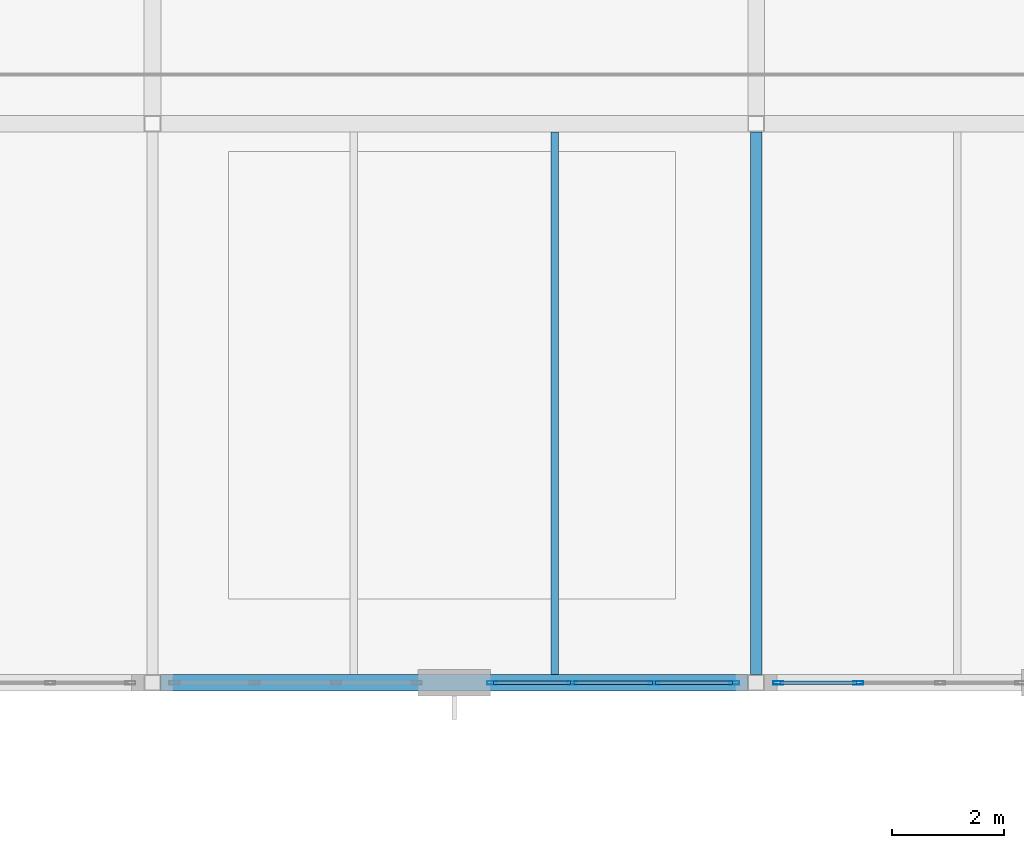
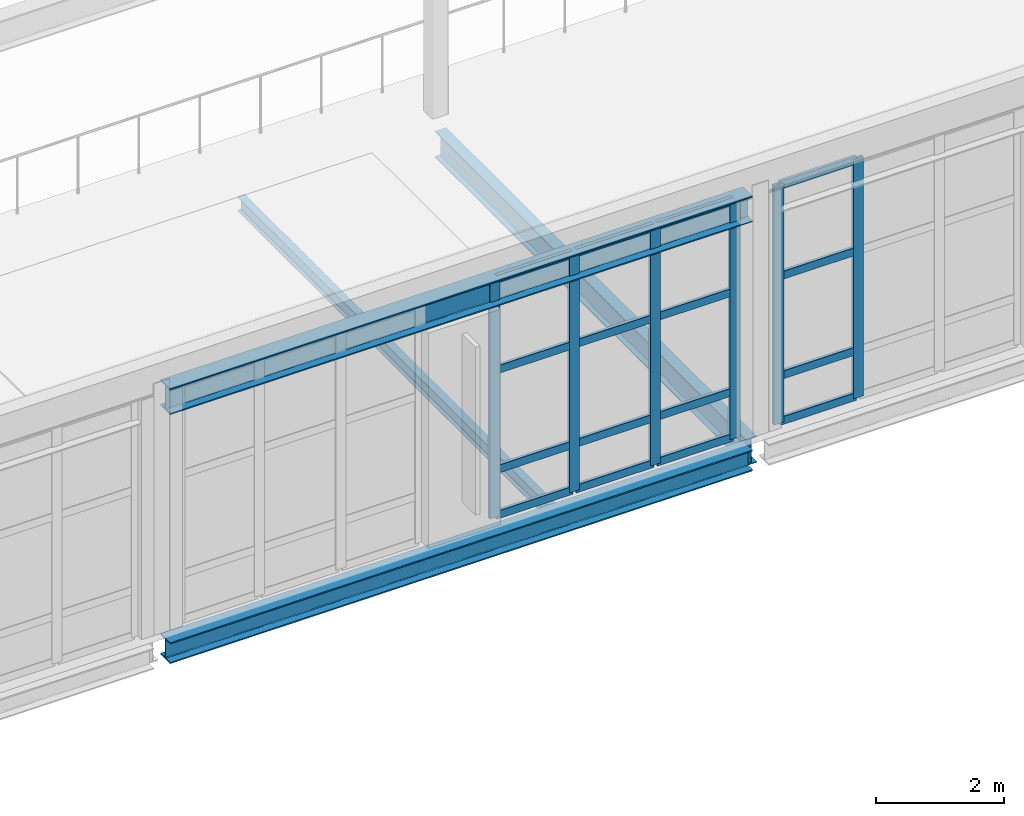
# One storey, part 26 of 86: 22 members, 4 beams, 2 elements without a shape of their own.
"""IFC4 building model written with IfcOpenShell, lengths in metres."""

from ifc_helpers import new_model, si_unit, direction, frame, origin, origin_2d, place, context, subcontext, project, spatial, hollow_rectangle, i_section, extrude, material, layer, layer_set, material_profile, profile_set, type_object, element, aggregate, save


model = new_model("IFC4")

# Units and contexts
model_context = context("Model", 3, precision=1e-05, world=origin(), true_north=direction((0.0, 1.0)))
body_context = subcontext(model_context, "Body", "Model", "MODEL_VIEW")
ifc_project = project(units=[si_unit("LENGTHUNIT", "METRE"), si_unit("AREAUNIT", "SQUARE_METRE"), si_unit("VOLUMEUNIT", "CUBIC_METRE"), si_unit("PLANEANGLEUNIT", "RADIAN"), si_unit("MASSUNIT", "GRAM", prefix="KILO")], contexts=[model_context])

# Site, building, storey
site_placement = place(None, origin())
site = spatial("IfcSite", under=ifc_project, at=site_placement, CompositionType="ELEMENT")
building_placement = place(site_placement, origin())
building = spatial("IfcBuilding", under=site, at=building_placement, Name="Tasgan Crest Museum", CompositionType="ELEMENT")
storey_placement = place(building_placement, frame((0.0, 0.0, 24.0)))
storey = spatial("IfcBuildingStorey", under=building, at=storey_placement, Name="L04", CompositionType="ELEMENT", Elevation=24.0)

# Beams
ifc_material_1 = material(Name="Steel S355J2", Category="steel")
ifc_material_profile_1 = material_profile(ifc_material_1, i_section(OverallWidth=0.300048828125, OverallDepth=0.489990234375, WebThickness=0.011962890625, FlangeThickness=0.02294921875, FilletRadius=0.027099609375, at=origin_2d()), Name="HEA 500")
ifc_profile_set_1 = profile_set([ifc_material_profile_1], Name="Steel S355J2")
beam_type_1 = type_object("IfcBeamType", Name="BM-G-HEA500", PredefinedType="BEAM", material=ifc_profile_set_1)
beam_1_placement = place(storey_placement, frame((75.74609375, 40.0, 4.35498046875), z_axis=(1.0, 0.0, 0.0), x_axis=(0.0, 1.0, 0.0)))
element("IfcBeam", 1, at=beam_1_placement, inside=storey, type_object=beam_type_1, Name="Winter-garden roof girder E 75.6-86.4", PredefinedType="BEAM", context=body_context, shape_type="SweptSolid", body=[
    extrude(i_section(OverallWidth=0.300048828125, OverallDepth=0.489990234375, WebThickness=0.011962890625, FlangeThickness=0.02294921875, FilletRadius=0.027099609375, at=origin_2d()), origin(), (0.0, 0.0, 1.0), 10.5078125),
])
ifc_material_2 = material(Name="Steel S355J2", Category="steel")
ifc_material_profile_2 = material_profile(ifc_material_2, i_section(OverallWidth=0.300048828125, OverallDepth=0.39990234375, WebThickness=0.013427734375, FlangeThickness=0.02392578125, FilletRadius=0.027099609375, at=origin_2d()), Name="HEB 400")
ifc_profile_set_2 = profile_set([ifc_material_profile_2], Name="Steel S355J2")
beam_type_2 = type_object("IfcBeamType", Name="BM-G-HEB400", PredefinedType="BEAM", material=ifc_profile_set_2)
beam_2_placement = place(storey_placement, frame((75.74609375, 40.0, -0.43994140625), z_axis=(1.0, 0.0, 0.0), x_axis=(0.0, 1.0, 0.0)))
element("IfcBeam", 2, at=beam_2_placement, inside=storey, type_object=beam_type_2, Name="Girder L04 E 75.6-86.4", PredefinedType="BEAM", context=body_context, shape_type="SweptSolid", body=[
    extrude(i_section(OverallWidth=0.300048828125, OverallDepth=0.39990234375, WebThickness=0.013427734375, FlangeThickness=0.02392578125, FilletRadius=0.027099609375, at=origin_2d()), origin(), (0.0, 0.0, 1.0), 10.5078125),
])
ifc_material_3 = material(Name="Steel S355J2", Category="steel")
ifc_material_profile_3 = material_profile(ifc_material_3, i_section(OverallWidth=0.199951171875, OverallDepth=0.5, WebThickness=0.01025390625, FlangeThickness=0.01611328125, FilletRadius=0.02099609375, at=origin_2d()), Name="IPE 500")
ifc_profile_set_3 = profile_set([ifc_material_profile_3], Name="Steel S355J2")
beam_type_3 = type_object("IfcBeamType", Name="BM-G-IPE500", PredefinedType="BEAM", material=ifc_profile_set_3)
beam_3_placement = place(storey_placement, frame((86.39990234375, 40.14501953125, -0.489990234375), z_axis=(0.0, 1.0, 0.0), x_axis=(-1.0, 0.0, 0.0)))
element("IfcBeam", 3, at=beam_3_placement, inside=storey, type_object=beam_type_3, Name="Beam L04 9 40.0-50.0", PredefinedType="BEAM", context=body_context, shape_type="SweptSolid", body=[
    extrude(i_section(OverallWidth=0.199951171875, OverallDepth=0.5, WebThickness=0.01025390625, FlangeThickness=0.01611328125, FilletRadius=0.02099609375, at=origin_2d()), origin(), (0.0, 0.0, 1.0), 9.7099609375),
])
ifc_material_4 = material(Name="Steel S355J2", Category="steel")
ifc_material_profile_4 = material_profile(ifc_material_4, i_section(OverallWidth=0.135009765625, OverallDepth=0.27001953125, WebThickness=0.006591796875, FlangeThickness=0.01025390625, FilletRadius=0.014892578125, at=origin_2d()), Name="IPE 270")
ifc_profile_set_4 = profile_set([ifc_material_profile_4], Name="Steel S355J2")
beam_type_4 = type_object("IfcBeamType", Name="BM-J-IPE270", PredefinedType="JOIST", material=ifc_profile_set_4)
beam_4_placement = place(storey_placement, frame((82.800048828125, 40.14501953125, -0.375), z_axis=(0.0, 1.0, 0.0), x_axis=(-1.0, 0.0, 0.0)))
element("IfcBeam", 4, at=beam_4_placement, inside=storey, type_object=beam_type_4, Name="Secondary joist L04 X=82.8 Y=40.0-50.0", PredefinedType="JOIST", context=body_context, shape_type="SweptSolid", body=[
    extrude(i_section(OverallWidth=0.135009765625, OverallDepth=0.27001953125, WebThickness=0.006591796875, FlangeThickness=0.01025390625, FilletRadius=0.014892578125, at=origin_2d()), origin(), (0.0, 0.0, 1.0), 9.7099609375),
])

# Curtain wall, members
ifc_material_5 = material(Name="Triple-Glazed Aluminium Curtain Wall", Category="aluminium")
ifc_layer = layer(ifc_material_5, 0.179931640625, Name="CW-DRUM-X-48")
ifc_layer_set = layer_set([ifc_layer], Name="Triple-Glazed Aluminium Curtain Wall")
curtain_wall_type = type_object("IfcCurtainWallType", Name="CW-DRUM-X-48", PredefinedType="NOTDEFINED", material=ifc_layer_set)
curtain_wall_1_placement = place(storey_placement, origin())
curtain_wall_1 = element("IfcCurtainWall", 5, at=curtain_wall_1_placement, inside=storey, type_object=curtain_wall_type, Name="Curtain wall L04 190", PredefinedType="NOTDEFINED")
ifc_material_6 = material(Name="Anodised Aluminium", Category="aluminium")
ifc_material_profile_5 = material_profile(ifc_material_6, hollow_rectangle(XDim=0.06494140625, YDim=0.179931640625, WallThickness=0.0048828125, at=origin_2d()), Name="ALU MULLION 180x65x5")
ifc_profile_set_5 = profile_set([ifc_material_profile_5], Name="Anodised Aluminium")
member_type_1 = type_object("IfcMemberType", Name="CW-MULLION-180", PredefinedType="MULLION", material=ifc_profile_set_5)
member_1_placement = place(storey_placement, frame((81.675048828125, 40.0, 0.0), z_axis=(0.0, 0.0, 1.0), x_axis=(0.0, 1.0, 0.0)))
member_1 = element("IfcMember", 6, at=member_1_placement, type_object=member_type_1, Name="CW03 mullion 1", PredefinedType="MULLION", context=body_context, shape_type="SweptSolid", body=[
    extrude(hollow_rectangle(XDim=0.06494140625, YDim=0.179931640625, WallThickness=0.0048828125, at=origin_2d()), origin(), (0.0, 0.0, 1.0), 4.56005859375),
])
member_2_placement = place(storey_placement, frame((83.1083984375, 40.0, 0.0), z_axis=(0.0, 0.0, 1.0), x_axis=(0.0, 1.0, 0.0)))
member_2 = element("IfcMember", 7, at=member_2_placement, type_object=member_type_1, Name="CW03 mullion 2", PredefinedType="MULLION", context=body_context, shape_type="SweptSolid", body=[
    extrude(hollow_rectangle(XDim=0.06494140625, YDim=0.179931640625, WallThickness=0.0048828125, at=origin_2d()), origin(), (0.0, 0.0, 1.0), 4.56005859375),
])
member_3_placement = place(storey_placement, frame((84.57177734375, 40.0, 0.0), z_axis=(0.0, 0.0, 1.0), x_axis=(0.0, 1.0, 0.0)))
member_3 = element("IfcMember", 8, at=member_3_placement, type_object=member_type_1, Name="CW03 mullion 3", PredefinedType="MULLION", context=body_context, shape_type="SweptSolid", body=[
    extrude(hollow_rectangle(XDim=0.06494140625, YDim=0.179931640625, WallThickness=0.0048828125, at=origin_2d()), origin(), (0.0, 0.0, 1.0), 4.56005859375),
])
member_4_placement = place(storey_placement, frame((86.0048828125, 40.0, 0.0), z_axis=(0.0, 0.0, 1.0), x_axis=(0.0, 1.0, 0.0)))
member_4 = element("IfcMember", 9, at=member_4_placement, type_object=member_type_1, Name="CW03 mullion 4", PredefinedType="MULLION", context=body_context, shape_type="SweptSolid", body=[
    extrude(hollow_rectangle(XDim=0.06494140625, YDim=0.179931640625, WallThickness=0.0048828125, at=origin_2d()), origin(), (0.0, 0.0, 1.0), 4.56005859375),
])

curtain_wall_2_placement = place(storey_placement, origin())
curtain_wall_2 = element("IfcCurtainWall", 10, at=curtain_wall_2_placement, inside=storey, type_object=curtain_wall_type, Name="Curtain wall L04 191", PredefinedType="NOTDEFINED")
member_5_placement = place(storey_placement, frame((86.794921875, 40.0, 0.0), z_axis=(0.0, 0.0, 1.0), x_axis=(0.0, 1.0, 0.0)))
member_5 = element("IfcMember", 11, at=member_5_placement, type_object=member_type_1, Name="CW03 mullion 1", PredefinedType="MULLION", context=body_context, shape_type="SweptSolid", body=[
    extrude(hollow_rectangle(XDim=0.06494140625, YDim=0.179931640625, WallThickness=0.0048828125, at=origin_2d()), origin(), (0.0, 0.0, 1.0), 4.56005859375),
])
member_6_placement = place(storey_placement, frame((88.228271484375, 40.0, 0.0), z_axis=(0.0, 0.0, 1.0), x_axis=(0.0, 1.0, 0.0)))
member_6 = element("IfcMember", 12, at=member_6_placement, type_object=member_type_1, Name="CW03 mullion 2", PredefinedType="MULLION", context=body_context, shape_type="SweptSolid", body=[
    extrude(hollow_rectangle(XDim=0.06494140625, YDim=0.179931640625, WallThickness=0.0048828125, at=origin_2d()), origin(), (0.0, 0.0, 1.0), 4.56005859375),
])

# Member
ifc_material_7 = material(Name="Anodised Aluminium", Category="aluminium")
ifc_material_profile_6 = material_profile(ifc_material_7, hollow_rectangle(XDim=0.06005859375, YDim=0.14990234375, WallThickness=0.0048828125, at=origin_2d()), Name="ALU TRANSOM 150x60x5")
ifc_profile_set_6 = profile_set([ifc_material_profile_6], Name="Anodised Aluminium")
member_type_2 = type_object("IfcMemberType", Name="CW-TRANSOM-150", PredefinedType="USERDEFINED", material=ifc_profile_set_6)
member_7_placement = place(storey_placement, frame((81.705078125, 40.0, 0.030029296875), z_axis=(1.0, 0.0, 0.0), x_axis=(0.0, 1.0, 0.0)))
member_7 = element("IfcMember", 13, at=member_7_placement, type_object=member_type_2, Name="CW03 transom 1.1", ObjectType="TRANSOM", PredefinedType="USERDEFINED", context=body_context, shape_type="SweptSolid", body=[
    extrude(hollow_rectangle(XDim=0.06005859375, YDim=0.14990234375, WallThickness=0.0048828125, at=origin_2d()), origin(), (0.0, 0.0, 1.0), 1.373291015625),
])

member_8_placement = place(storey_placement, frame((81.705078125, 40.0, 0.89990234375), z_axis=(1.0, 0.0, 0.0), x_axis=(0.0, 1.0, 0.0)))
member_8 = element("IfcMember", 14, at=member_8_placement, type_object=member_type_2, Name="CW03 transom 1.2", ObjectType="TRANSOM", PredefinedType="USERDEFINED", context=body_context, shape_type="SweptSolid", body=[
    extrude(hollow_rectangle(XDim=0.06005859375, YDim=0.14990234375, WallThickness=0.0048828125, at=origin_2d()), origin(), (0.0, 0.0, 1.0), 1.373291015625),
])

member_9_placement = place(storey_placement, frame((81.705078125, 40.0, 2.800048828125), z_axis=(1.0, 0.0, 0.0), x_axis=(0.0, 1.0, 0.0)))
member_9 = element("IfcMember", 15, at=member_9_placement, type_object=member_type_2, Name="CW03 transom 1.3", ObjectType="TRANSOM", PredefinedType="USERDEFINED", context=body_context, shape_type="SweptSolid", body=[
    extrude(hollow_rectangle(XDim=0.06005859375, YDim=0.14990234375, WallThickness=0.0048828125, at=origin_2d()), origin(), (0.0, 0.0, 1.0), 1.373291015625),
])

member_10_placement = place(storey_placement, frame((81.705078125, 40.0, 4.530029296875), z_axis=(1.0, 0.0, 0.0), x_axis=(0.0, 1.0, 0.0)))
member_10 = element("IfcMember", 16, at=member_10_placement, type_object=member_type_2, Name="CW03 transom 1.4", ObjectType="TRANSOM", PredefinedType="USERDEFINED", context=body_context, shape_type="SweptSolid", body=[
    extrude(hollow_rectangle(XDim=0.06005859375, YDim=0.14990234375, WallThickness=0.0048828125, at=origin_2d()), origin(), (0.0, 0.0, 1.0), 1.373291015625),
])

member_11_placement = place(storey_placement, frame((83.138427734375, 40.0, 0.030029296875), z_axis=(1.0, 0.0, 0.0), x_axis=(0.0, 1.0, 0.0)))
member_11 = element("IfcMember", 17, at=member_11_placement, type_object=member_type_2, Name="CW03 transom 2.1", ObjectType="TRANSOM", PredefinedType="USERDEFINED", context=body_context, shape_type="SweptSolid", body=[
    extrude(hollow_rectangle(XDim=0.06005859375, YDim=0.14990234375, WallThickness=0.0048828125, at=origin_2d()), origin(), (0.0, 0.0, 1.0), 1.4033203125),
])

member_12_placement = place(storey_placement, frame((83.138427734375, 40.0, 0.89990234375), z_axis=(1.0, 0.0, 0.0), x_axis=(0.0, 1.0, 0.0)))
member_12 = element("IfcMember", 18, at=member_12_placement, type_object=member_type_2, Name="CW03 transom 2.2", ObjectType="TRANSOM", PredefinedType="USERDEFINED", context=body_context, shape_type="SweptSolid", body=[
    extrude(hollow_rectangle(XDim=0.06005859375, YDim=0.14990234375, WallThickness=0.0048828125, at=origin_2d()), origin(), (0.0, 0.0, 1.0), 1.4033203125),
])

member_13_placement = place(storey_placement, frame((83.138427734375, 40.0, 2.800048828125), z_axis=(1.0, 0.0, 0.0), x_axis=(0.0, 1.0, 0.0)))
member_13 = element("IfcMember", 19, at=member_13_placement, type_object=member_type_2, Name="CW03 transom 2.3", ObjectType="TRANSOM", PredefinedType="USERDEFINED", context=body_context, shape_type="SweptSolid", body=[
    extrude(hollow_rectangle(XDim=0.06005859375, YDim=0.14990234375, WallThickness=0.0048828125, at=origin_2d()), origin(), (0.0, 0.0, 1.0), 1.4033203125),
])

member_14_placement = place(storey_placement, frame((83.138427734375, 40.0, 4.530029296875), z_axis=(1.0, 0.0, 0.0), x_axis=(0.0, 1.0, 0.0)))
member_14 = element("IfcMember", 20, at=member_14_placement, type_object=member_type_2, Name="CW03 transom 2.4", ObjectType="TRANSOM", PredefinedType="USERDEFINED", context=body_context, shape_type="SweptSolid", body=[
    extrude(hollow_rectangle(XDim=0.06005859375, YDim=0.14990234375, WallThickness=0.0048828125, at=origin_2d()), origin(), (0.0, 0.0, 1.0), 1.4033203125),
])

member_15_placement = place(storey_placement, frame((84.6015625, 40.0, 0.030029296875), z_axis=(1.0, 0.0, 0.0), x_axis=(0.0, 1.0, 0.0)))
member_15 = element("IfcMember", 21, at=member_15_placement, type_object=member_type_2, Name="CW03 transom 3.1", ObjectType="TRANSOM", PredefinedType="USERDEFINED", context=body_context, shape_type="SweptSolid", body=[
    extrude(hollow_rectangle(XDim=0.06005859375, YDim=0.14990234375, WallThickness=0.0048828125, at=origin_2d()), origin(), (0.0, 0.0, 1.0), 1.37353515625),
])

member_16_placement = place(storey_placement, frame((84.6015625, 40.0, 0.89990234375), z_axis=(1.0, 0.0, 0.0), x_axis=(0.0, 1.0, 0.0)))
member_16 = element("IfcMember", 22, at=member_16_placement, type_object=member_type_2, Name="CW03 transom 3.2", ObjectType="TRANSOM", PredefinedType="USERDEFINED", context=body_context, shape_type="SweptSolid", body=[
    extrude(hollow_rectangle(XDim=0.06005859375, YDim=0.14990234375, WallThickness=0.0048828125, at=origin_2d()), origin(), (0.0, 0.0, 1.0), 1.37353515625),
])

member_17_placement = place(storey_placement, frame((84.6015625, 40.0, 2.800048828125), z_axis=(1.0, 0.0, 0.0), x_axis=(0.0, 1.0, 0.0)))
member_17 = element("IfcMember", 23, at=member_17_placement, type_object=member_type_2, Name="CW03 transom 3.3", ObjectType="TRANSOM", PredefinedType="USERDEFINED", context=body_context, shape_type="SweptSolid", body=[
    extrude(hollow_rectangle(XDim=0.06005859375, YDim=0.14990234375, WallThickness=0.0048828125, at=origin_2d()), origin(), (0.0, 0.0, 1.0), 1.37353515625),
])

member_18_placement = place(storey_placement, frame((84.6015625, 40.0, 4.530029296875), z_axis=(1.0, 0.0, 0.0), x_axis=(0.0, 1.0, 0.0)))
member_18 = element("IfcMember", 24, at=member_18_placement, type_object=member_type_2, Name="CW03 transom 3.4", ObjectType="TRANSOM", PredefinedType="USERDEFINED", context=body_context, shape_type="SweptSolid", body=[
    extrude(hollow_rectangle(XDim=0.06005859375, YDim=0.14990234375, WallThickness=0.0048828125, at=origin_2d()), origin(), (0.0, 0.0, 1.0), 1.37353515625),
])

aggregate(curtain_wall_1, [member_1, member_2, member_3, member_4, member_7, member_8, member_9, member_10, member_11, member_12, member_13, member_14, member_15, member_16, member_17, member_18])

member_19_placement = place(storey_placement, frame((86.824951171875, 40.0, 0.030029296875), z_axis=(1.0, 0.0, 0.0), x_axis=(0.0, 1.0, 0.0)))
member_19 = element("IfcMember", 25, at=member_19_placement, type_object=member_type_2, Name="CW03 transom 1.1", ObjectType="TRANSOM", PredefinedType="USERDEFINED", context=body_context, shape_type="SweptSolid", body=[
    extrude(hollow_rectangle(XDim=0.06005859375, YDim=0.14990234375, WallThickness=0.0048828125, at=origin_2d()), origin(), (0.0, 0.0, 1.0), 1.373291015625),
])

member_20_placement = place(storey_placement, frame((86.824951171875, 40.0, 0.89990234375), z_axis=(1.0, 0.0, 0.0), x_axis=(0.0, 1.0, 0.0)))
member_20 = element("IfcMember", 26, at=member_20_placement, type_object=member_type_2, Name="CW03 transom 1.2", ObjectType="TRANSOM", PredefinedType="USERDEFINED", context=body_context, shape_type="SweptSolid", body=[
    extrude(hollow_rectangle(XDim=0.06005859375, YDim=0.14990234375, WallThickness=0.0048828125, at=origin_2d()), origin(), (0.0, 0.0, 1.0), 1.373291015625),
])

member_21_placement = place(storey_placement, frame((86.824951171875, 40.0, 2.800048828125), z_axis=(1.0, 0.0, 0.0), x_axis=(0.0, 1.0, 0.0)))
member_21 = element("IfcMember", 27, at=member_21_placement, type_object=member_type_2, Name="CW03 transom 1.3", ObjectType="TRANSOM", PredefinedType="USERDEFINED", context=body_context, shape_type="SweptSolid", body=[
    extrude(hollow_rectangle(XDim=0.06005859375, YDim=0.14990234375, WallThickness=0.0048828125, at=origin_2d()), origin(), (0.0, 0.0, 1.0), 1.373291015625),
])

member_22_placement = place(storey_placement, frame((86.824951171875, 40.0, 4.530029296875), z_axis=(1.0, 0.0, 0.0), x_axis=(0.0, 1.0, 0.0)))
member_22 = element("IfcMember", 28, at=member_22_placement, type_object=member_type_2, Name="CW03 transom 1.4", ObjectType="TRANSOM", PredefinedType="USERDEFINED", context=body_context, shape_type="SweptSolid", body=[
    extrude(hollow_rectangle(XDim=0.06005859375, YDim=0.14990234375, WallThickness=0.0048828125, at=origin_2d()), origin(), (0.0, 0.0, 1.0), 1.373291015625),
])

aggregate(curtain_wall_2, [member_5, member_6, member_19, member_20, member_21, member_22])

save(model, "model.ifc")
